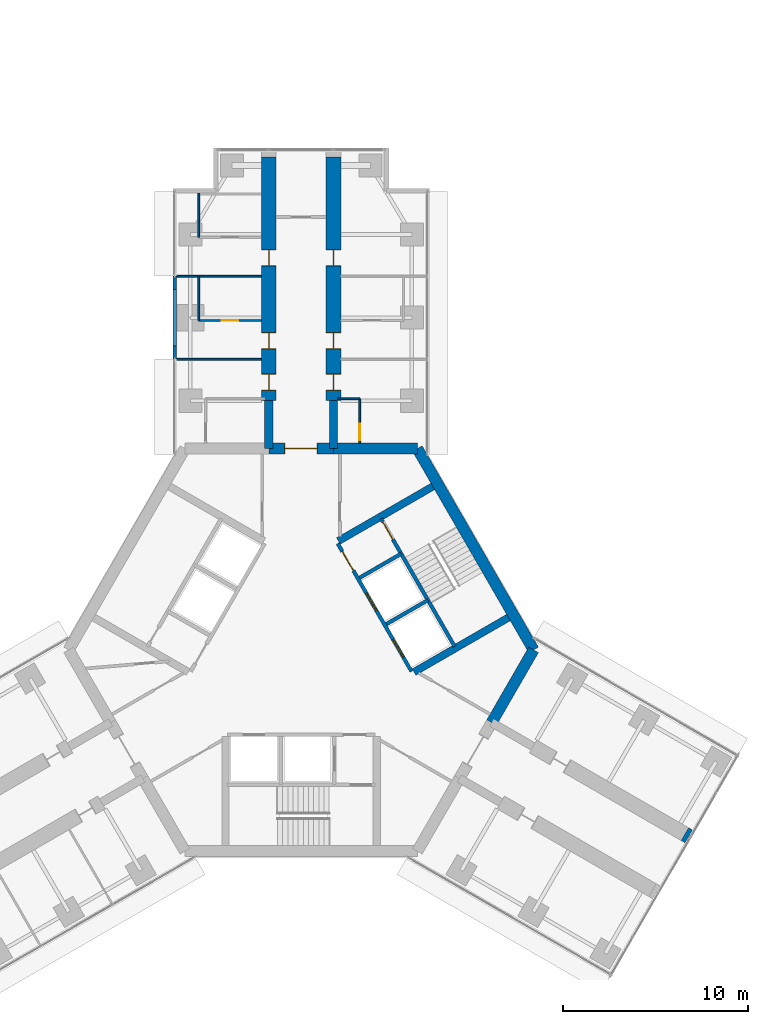
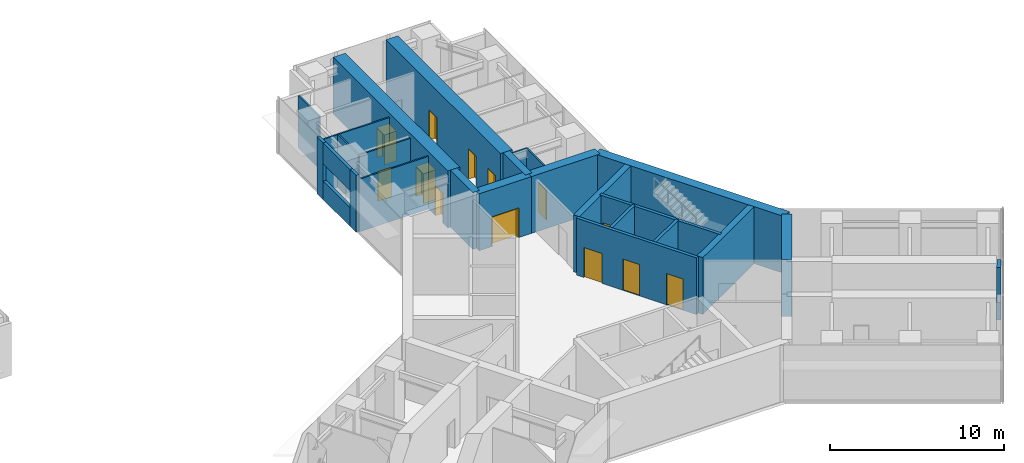
# One storey, part 20 of 23: 26 walls, 13 doors, 13 openings.
"""IFC4 building model written with IfcOpenShell, lengths in metres."""

from ifc_helpers import new_model, si_unit, direction, frame, frame_2d, origin, place, context, subcontext, project, spatial, rectangle, extrude, material, layer, layer_set, type_object, element, fill, save


model = new_model("IFC4")

# Units and contexts
model_context = context("Model", 3, precision=1e-05, world=origin(), true_north=direction((0.0, 1.0)))
body_context = subcontext(model_context, "Body", "Model", "MODEL_VIEW")
ifc_project = project(units=[si_unit("LENGTHUNIT", "METRE"), si_unit("AREAUNIT", "SQUARE_METRE"), si_unit("VOLUMEUNIT", "CUBIC_METRE"), si_unit("PLANEANGLEUNIT", "RADIAN"), si_unit("MASSUNIT", "GRAM", prefix="KILO")], contexts=[model_context])

# Site, building, storey
site_placement = place(None, origin())
site = spatial("IfcSite", under=ifc_project, at=site_placement, CompositionType="ELEMENT")
building_placement = place(site_placement, origin())
building = spatial("IfcBuilding", under=site, at=building_placement, Name="Upepo Twin Towers", CompositionType="ELEMENT")
storey_placement = place(building_placement, frame((0.0, 0.0, 161.5)))
storey = spatial("IfcBuildingStorey", under=building, at=storey_placement, Name="L39", CompositionType="ELEMENT", Elevation=161.5)

# Walls
ifc_material_1 = material(Name="Dense concrete blockwork", Category="masonry")
ifc_layer_1 = layer(ifc_material_1, 0.800048828125)
ifc_layer_set_1 = layer_set([ifc_layer_1], Name="Buttress closer 800, blockwork with fire-stopping to the curtain wall")
wall_type_1 = type_object("IfcWallType", Name="Buttress closer 800, blockwork with fire-stopping to the curtain wall", PredefinedType="PARTITIONING", material=ifc_layer_set_1)
wall_1_placement = place(storey_placement, frame((79.293701171875, -27.984375, 0.0), z_axis=(0.0, 0.0, 1.0), x_axis=(0.865827443207, -0.500342721131, 0.0)))
element("IfcWall", 1, at=wall_1_placement, inside=storey, type_object=wall_type_1, Name="T2 L39 wing C buttress closer L", PredefinedType="PARTITIONING", context=body_context, shape_type="SweptSolid", body=[
    extrude(rectangle(XDim=0.249755859375, YDim=0.800048828125, at=frame_2d((0.125, 0.0))), origin(), (0.0, 0.0, 1.0), 3.699951171875),
])
ifc_material_2 = material(Name="Concrete C60/75", Category="concrete")
ifc_layer_2 = layer(ifc_material_2, 0.449951171875)
ifc_layer_set_2 = layer_set([ifc_layer_2], Name="Concrete C60/75")
wall_type_2 = type_object("IfcWallType", Name="Buttress wall 450 RC", PredefinedType="SHEAR", material=ifc_layer_set_2)
for number, where, z_axis, x_axis, name in (
    (2, (56.75, -7.091552734375, 0.0), (0.0, 0.0, 1.0), (0.0, 1.0, 0.0), "T2 wing A buttress wall L"),
    (3, (60.25, -7.091552734375, 0.0), (0.0, 0.0, 1.0), (0.0, 1.0, 0.0), "T2 wing A buttress wall R"),
):
    element("IfcWall", number, at=place(storey_placement, frame(where, z_axis=z_axis, x_axis=x_axis)), inside=storey, type_object=wall_type_2, Name=name, PredefinedType="SHEAR", context=body_context, shape_type="SweptSolid", body=[
        extrude(rectangle(XDim=2.591552734375, YDim=0.449951171875, at=frame_2d((1.2958984375, 0.0))), origin(), (0.0, 0.0, 1.0), 4.0),
    ])

# Wall, openings, doors
ifc_material_3 = material(Name="Concrete C60/75", Category="concrete")
ifc_layer_3 = layer(ifc_material_3, 0.800048828125)
ifc_layer_set_3 = layer_set([ifc_layer_3], Name="Concrete C60/75")
wall_type_3 = type_object("IfcWallType", Name="Buttress wall 800 RC", PredefinedType="SHEAR", material=ifc_layer_set_3)
wall_2_placement = place(storey_placement, frame((56.75, -4.5, 0.0), z_axis=(0.0, 0.0, 1.0), x_axis=(0.0, 1.0, 0.0)))
wall_2 = element("IfcWall", 4, at=wall_2_placement, inside=storey, type_object=wall_type_3, Name="T2 wing A buttress wall L part 2", PredefinedType="SHEAR", context=body_context, shape_type="SweptSolid", body=[
    extrude(rectangle(XDim=13.199951171875, YDim=0.800048828125, at=frame_2d((6.60009765625, 0.0))), origin(), (0.0, 0.0, 1.0), 4.0),
])
opening_1_placement = place(wall_2_placement, frame((0.550048828125, 0.0, 0.0)))
opening_1 = element("IfcOpeningElement", 5, at=opening_1_placement, cuts=wall_2, Name="Opening D11", PredefinedType="OPENING", context=body_context, shape_type="SweptSolid", body=[
    extrude(rectangle(XDim=0.89990234375, YDim=2.10009765625, at=frame_2d((0.449951171875, 1.050048828125))), frame((0.0, 0.409912109375, 0.0), z_axis=(0.0, -1.0, 0.0), x_axis=(1.0, 0.0, 0.0)), (0.0, 0.0, 1.0), 0.820068359375),
])
opening_2_placement = place(wall_2_placement, frame((2.800048828125, 0.0, 0.0)))
opening_2 = element("IfcOpeningElement", 6, at=opening_2_placement, cuts=wall_2, Name="Opening D14", PredefinedType="OPENING", context=body_context, shape_type="SweptSolid", body=[
    extrude(rectangle(XDim=0.89990234375, YDim=2.10009765625, at=frame_2d((0.449951171875, 1.050048828125))), frame((0.0, 0.409912109375, 0.0), z_axis=(0.0, -1.0, 0.0), x_axis=(1.0, 0.0, 0.0)), (0.0, 0.0, 1.0), 0.820068359375),
])
opening_3_placement = place(wall_2_placement, frame((7.300048828125, 0.0, 0.0)))
opening_3 = element("IfcOpeningElement", 7, at=opening_3_placement, cuts=wall_2, Name="Opening D14", PredefinedType="OPENING", context=body_context, shape_type="SweptSolid", body=[
    extrude(rectangle(XDim=0.89990234375, YDim=2.10009765625, at=frame_2d((0.449951171875, 1.050048828125))), frame((0.0, 0.409912109375, 0.0), z_axis=(0.0, -1.0, 0.0), x_axis=(1.0, 0.0, 0.0)), (0.0, 0.0, 1.0), 0.820068359375),
])
ifc_material_4 = material(Name="Timber doorset", Category="wood")
door_type_1 = type_object("IfcDoorType", Name="Office door 900 FD30", OperationType="SINGLE_SWING_LEFT", PredefinedType="DOOR", material=ifc_material_4)
door_1_placement = place(opening_2_placement, origin())
door_1 = element("IfcDoor", 8, at=door_1_placement, inside=storey, type_object=door_type_1, Name="T2 L39 staff office door", OperationType="SINGLE_SWING_LEFT", OverallHeight=2.10009765625, OverallWidth=0.89990234375, PredefinedType="DOOR", context=body_context, shape_type="SweptSolid", body=[
    extrude(rectangle(XDim=0.81990234375, YDim=2.06009765625, at=frame_2d((0.449951171875, 1.030029296875))), frame((0.0, 0.02490234375, 0.0), z_axis=(0.0, -1.0, 0.0), x_axis=(1.0, 0.0, 0.0)), (0.0, 0.0, 1.0), 0.050048828125),
    extrude(rectangle(XDim=0.04, YDim=2.10009765625, at=frame_2d((0.02001953125, 1.050048828125))), frame((0.0, 0.39990234375, 0.0), z_axis=(0.0, -1.0, 0.0), x_axis=(1.0, 0.0, 0.0)), (0.0, 0.0, 1.0), 0.799560546875),
    extrude(rectangle(XDim=0.04, YDim=2.10009765625, at=frame_2d((0.8798828125, 1.050048828125))), frame((0.0, 0.39990234375, 0.0), z_axis=(0.0, -1.0, 0.0), x_axis=(1.0, 0.0, 0.0)), (0.0, 0.0, 1.0), 0.799560546875),
    extrude(rectangle(XDim=0.81990234375, YDim=0.04, at=frame_2d((0.449951171875, 2.080078125))), frame((0.0, 0.39990234375, 0.0), z_axis=(0.0, -1.0, 0.0), x_axis=(1.0, 0.0, 0.0)), (0.0, 0.0, 1.0), 0.799560546875),
])
fill(opening_2, door_1)
door_2_placement = place(opening_3_placement, origin())
door_2 = element("IfcDoor", 9, at=door_2_placement, inside=storey, type_object=door_type_1, Name="T2 L39 meeting room door", OperationType="SINGLE_SWING_RIGHT", OverallHeight=2.10009765625, OverallWidth=0.89990234375, PredefinedType="DOOR", context=body_context, shape_type="SweptSolid", body=[
    extrude(rectangle(XDim=0.81990234375, YDim=2.06009765625, at=frame_2d((0.449951171875, 1.030029296875))), frame((0.0, 0.02490234375, 0.0), z_axis=(0.0, -1.0, 0.0), x_axis=(1.0, 0.0, 0.0)), (0.0, 0.0, 1.0), 0.050048828125),
    extrude(rectangle(XDim=0.04, YDim=2.10009765625, at=frame_2d((0.02001953125, 1.050048828125))), frame((0.0, 0.39990234375, 0.0), z_axis=(0.0, -1.0, 0.0), x_axis=(1.0, 0.0, 0.0)), (0.0, 0.0, 1.0), 0.799560546875),
    extrude(rectangle(XDim=0.04, YDim=2.10009765625, at=frame_2d((0.8798828125, 1.050048828125))), frame((0.0, 0.39990234375, 0.0), z_axis=(0.0, -1.0, 0.0), x_axis=(1.0, 0.0, 0.0)), (0.0, 0.0, 1.0), 0.799560546875),
    extrude(rectangle(XDim=0.81990234375, YDim=0.04, at=frame_2d((0.449951171875, 2.080078125))), frame((0.0, 0.39990234375, 0.0), z_axis=(0.0, -1.0, 0.0), x_axis=(1.0, 0.0, 0.0)), (0.0, 0.0, 1.0), 0.799560546875),
])
fill(opening_3, door_2)
ifc_material_5 = material(Name="Timber doorset", Category="wood")
door_type_2 = type_object("IfcDoorType", Name="Toilet door 900", OperationType="SINGLE_SWING_LEFT", PredefinedType="DOOR", material=ifc_material_5)
door_3_placement = place(opening_1_placement, origin())
door_3 = element("IfcDoor", 10, at=door_3_placement, inside=storey, type_object=door_type_2, Name="T2 L39 accessible wc door", OperationType="SINGLE_SWING_LEFT", OverallHeight=2.10009765625, OverallWidth=0.89990234375, PredefinedType="DOOR", context=body_context, shape_type="SweptSolid", body=[
    extrude(rectangle(XDim=0.81990234375, YDim=2.06009765625, at=frame_2d((0.449951171875, 1.030029296875))), frame((0.0, 0.02490234375, 0.0), z_axis=(0.0, -1.0, 0.0), x_axis=(1.0, 0.0, 0.0)), (0.0, 0.0, 1.0), 0.050048828125),
    extrude(rectangle(XDim=0.04, YDim=2.10009765625, at=frame_2d((0.02001953125, 1.050048828125))), frame((0.0, 0.39990234375, 0.0), z_axis=(0.0, -1.0, 0.0), x_axis=(1.0, 0.0, 0.0)), (0.0, 0.0, 1.0), 0.799560546875),
    extrude(rectangle(XDim=0.04, YDim=2.10009765625, at=frame_2d((0.8798828125, 1.050048828125))), frame((0.0, 0.39990234375, 0.0), z_axis=(0.0, -1.0, 0.0), x_axis=(1.0, 0.0, 0.0)), (0.0, 0.0, 1.0), 0.799560546875),
    extrude(rectangle(XDim=0.81990234375, YDim=0.04, at=frame_2d((0.449951171875, 2.080078125))), frame((0.0, 0.39990234375, 0.0), z_axis=(0.0, -1.0, 0.0), x_axis=(1.0, 0.0, 0.0)), (0.0, 0.0, 1.0), 0.799560546875),
])
fill(opening_1, door_3)

wall_3_placement = place(storey_placement, frame((60.25, -4.5, 0.0), z_axis=(0.0, 0.0, 1.0), x_axis=(0.0, 1.0, 0.0)))
wall_3 = element("IfcWall", 11, at=wall_3_placement, inside=storey, type_object=wall_type_3, Name="T2 wing A buttress wall R part 2", PredefinedType="SHEAR", context=body_context, shape_type="SweptSolid", body=[
    extrude(rectangle(XDim=13.199951171875, YDim=0.800048828125, at=frame_2d((6.60009765625, 0.0))), origin(), (0.0, 0.0, 1.0), 4.0),
])
opening_4_placement = place(wall_3_placement, frame((0.550048828125, 0.0, 0.0)))
opening_4 = element("IfcOpeningElement", 12, at=opening_4_placement, cuts=wall_3, Name="Opening D11", PredefinedType="OPENING", context=body_context, shape_type="SweptSolid", body=[
    extrude(rectangle(XDim=0.89990234375, YDim=2.10009765625, at=frame_2d((0.449951171875, 1.050048828125))), frame((0.0, 0.409912109375, 0.0), z_axis=(0.0, -1.0, 0.0), x_axis=(1.0, 0.0, 0.0)), (0.0, 0.0, 1.0), 0.820068359375),
])
opening_5_placement = place(wall_3_placement, frame((2.800048828125, 0.0, 0.0)))
opening_5 = element("IfcOpeningElement", 13, at=opening_5_placement, cuts=wall_3, Name="Opening D14", PredefinedType="OPENING", context=body_context, shape_type="SweptSolid", body=[
    extrude(rectangle(XDim=0.89990234375, YDim=2.10009765625, at=frame_2d((0.449951171875, 1.050048828125))), frame((0.0, 0.409912109375, 0.0), z_axis=(0.0, -1.0, 0.0), x_axis=(1.0, 0.0, 0.0)), (0.0, 0.0, 1.0), 0.820068359375),
])
opening_6_placement = place(wall_3_placement, frame((7.300048828125, 0.0, 0.0)))
opening_6 = element("IfcOpeningElement", 14, at=opening_6_placement, cuts=wall_3, Name="Opening D14", PredefinedType="OPENING", context=body_context, shape_type="SweptSolid", body=[
    extrude(rectangle(XDim=0.89990234375, YDim=2.10009765625, at=frame_2d((0.449951171875, 1.050048828125))), frame((0.0, 0.409912109375, 0.0), z_axis=(0.0, -1.0, 0.0), x_axis=(1.0, 0.0, 0.0)), (0.0, 0.0, 1.0), 0.820068359375),
])
door_4_placement = place(opening_5_placement, origin())
door_4 = element("IfcDoor", 15, at=door_4_placement, inside=storey, type_object=door_type_1, Name="T2 L39 staff office door", OperationType="SINGLE_SWING_LEFT", OverallHeight=2.10009765625, OverallWidth=0.89990234375, PredefinedType="DOOR", context=body_context, shape_type="SweptSolid", body=[
    extrude(rectangle(XDim=0.81990234375, YDim=2.06009765625, at=frame_2d((0.449951171875, 1.030029296875))), frame((0.0, 0.02490234375, 0.0), z_axis=(0.0, -1.0, 0.0), x_axis=(1.0, 0.0, 0.0)), (0.0, 0.0, 1.0), 0.050048828125),
    extrude(rectangle(XDim=0.04, YDim=2.10009765625, at=frame_2d((0.02001953125, 1.050048828125))), frame((0.0, 0.39990234375, 0.0), z_axis=(0.0, -1.0, 0.0), x_axis=(1.0, 0.0, 0.0)), (0.0, 0.0, 1.0), 0.799560546875),
    extrude(rectangle(XDim=0.04, YDim=2.10009765625, at=frame_2d((0.8798828125, 1.050048828125))), frame((0.0, 0.39990234375, 0.0), z_axis=(0.0, -1.0, 0.0), x_axis=(1.0, 0.0, 0.0)), (0.0, 0.0, 1.0), 0.799560546875),
    extrude(rectangle(XDim=0.81990234375, YDim=0.04, at=frame_2d((0.449951171875, 2.080078125))), frame((0.0, 0.39990234375, 0.0), z_axis=(0.0, -1.0, 0.0), x_axis=(1.0, 0.0, 0.0)), (0.0, 0.0, 1.0), 0.799560546875),
])
fill(opening_5, door_4)
door_5_placement = place(opening_6_placement, origin())
door_5 = element("IfcDoor", 16, at=door_5_placement, inside=storey, type_object=door_type_1, Name="T2 L39 postgraduate office door", OperationType="SINGLE_SWING_RIGHT", OverallHeight=2.10009765625, OverallWidth=0.89990234375, PredefinedType="DOOR", context=body_context, shape_type="SweptSolid", body=[
    extrude(rectangle(XDim=0.81990234375, YDim=2.06009765625, at=frame_2d((0.449951171875, 1.030029296875))), frame((0.0, 0.02490234375, 0.0), z_axis=(0.0, -1.0, 0.0), x_axis=(1.0, 0.0, 0.0)), (0.0, 0.0, 1.0), 0.050048828125),
    extrude(rectangle(XDim=0.04, YDim=2.10009765625, at=frame_2d((0.02001953125, 1.050048828125))), frame((0.0, 0.39990234375, 0.0), z_axis=(0.0, -1.0, 0.0), x_axis=(1.0, 0.0, 0.0)), (0.0, 0.0, 1.0), 0.799560546875),
    extrude(rectangle(XDim=0.04, YDim=2.10009765625, at=frame_2d((0.8798828125, 1.050048828125))), frame((0.0, 0.39990234375, 0.0), z_axis=(0.0, -1.0, 0.0), x_axis=(1.0, 0.0, 0.0)), (0.0, 0.0, 1.0), 0.799560546875),
    extrude(rectangle(XDim=0.81990234375, YDim=0.04, at=frame_2d((0.449951171875, 2.080078125))), frame((0.0, 0.39990234375, 0.0), z_axis=(0.0, -1.0, 0.0), x_axis=(1.0, 0.0, 0.0)), (0.0, 0.0, 1.0), 0.799560546875),
])
fill(opening_6, door_5)
door_6_placement = place(opening_4_placement, origin())
door_6 = element("IfcDoor", 17, at=door_6_placement, inside=storey, type_object=door_type_2, Name="T2 L39 toilets door", OperationType="SINGLE_SWING_LEFT", OverallHeight=2.10009765625, OverallWidth=0.89990234375, PredefinedType="DOOR", context=body_context, shape_type="SweptSolid", body=[
    extrude(rectangle(XDim=0.81990234375, YDim=2.06009765625, at=frame_2d((0.449951171875, 1.030029296875))), frame((0.0, 0.02490234375, 0.0), z_axis=(0.0, -1.0, 0.0), x_axis=(1.0, 0.0, 0.0)), (0.0, 0.0, 1.0), 0.050048828125),
    extrude(rectangle(XDim=0.04, YDim=2.10009765625, at=frame_2d((0.02001953125, 1.050048828125))), frame((0.0, 0.39990234375, 0.0), z_axis=(0.0, -1.0, 0.0), x_axis=(1.0, 0.0, 0.0)), (0.0, 0.0, 1.0), 0.799560546875),
    extrude(rectangle(XDim=0.04, YDim=2.10009765625, at=frame_2d((0.8798828125, 1.050048828125))), frame((0.0, 0.39990234375, 0.0), z_axis=(0.0, -1.0, 0.0), x_axis=(1.0, 0.0, 0.0)), (0.0, 0.0, 1.0), 0.799560546875),
    extrude(rectangle(XDim=0.81990234375, YDim=0.04, at=frame_2d((0.449951171875, 2.080078125))), frame((0.0, 0.39990234375, 0.0), z_axis=(0.0, -1.0, 0.0), x_axis=(1.0, 0.0, 0.0)), (0.0, 0.0, 1.0), 0.799560546875),
])
fill(opening_4, door_6)

# Wall
ifc_material_6 = material(Name="Concrete C60/75", Category="concrete")
ifc_layer_4 = layer(ifc_material_6, 0.60009765625)
ifc_layer_set_4 = layer_set([ifc_layer_4], Name="Concrete C60/75")
wall_type_4 = type_object("IfcWallType", Name="Core wall 600 RC", PredefinedType="SHEAR", material=ifc_layer_set_4)
wall_4_placement = place(storey_placement, frame((64.7978515625, -7.091552734375, 0.0), z_axis=(0.0, 0.0, 1.0), x_axis=(-1.0, 0.0, 0.0)))
element("IfcWall", 18, at=wall_4_placement, inside=storey, type_object=wall_type_4, Name="T2 core wall 000 R", PredefinedType="SHEAR", context=body_context, shape_type="SweptSolid", body=[
    extrude(rectangle(XDim=4.5478515625, YDim=0.60009765625, at=frame_2d((2.27392578125, 0.0))), origin(), (0.0, 0.0, 1.0), 4.0),
])

# Wall, opening, door
wall_5_placement = place(storey_placement, frame((60.25, -7.091552734375, 0.0), z_axis=(0.0, 0.0, 1.0), x_axis=(-1.0, 0.0, 0.0)))
wall_5 = element("IfcWall", 19, at=wall_5_placement, inside=storey, type_object=wall_type_4, Name="T2 core wall 000", PredefinedType="SHEAR", context=body_context, shape_type="SweptSolid", body=[
    extrude(rectangle(XDim=3.5, YDim=0.60009765625, at=frame_2d((1.75, 0.0))), origin(), (0.0, 0.0, 1.0), 4.0),
])
opening_7_placement = place(wall_5_placement, frame((0.85009765625, 0.0, 0.0)))
opening_7 = element("IfcOpeningElement", 20, at=opening_7_placement, cuts=wall_5, Name="Opening D2", PredefinedType="OPENING", context=body_context, shape_type="SweptSolid", body=[
    extrude(rectangle(XDim=1.800048828125, YDim=2.10009765625, at=frame_2d((0.89990234375, 1.050048828125))), frame((0.0, 0.31005859375, 0.0), z_axis=(0.0, -1.0, 0.0), x_axis=(1.0, 0.0, 0.0)), (0.0, 0.0, 1.0), 0.6201171875),
])
ifc_material_7 = material(Name="Timber doorset", Category="wood")
door_type_3 = type_object("IfcDoorType", Name="Corridor double door 1800 FD60", OperationType="DOUBLE_DOOR_DOUBLE_SWING", PredefinedType="DOOR", material=ifc_material_7)
door_7_placement = place(opening_7_placement, origin())
door_7 = element("IfcDoor", 21, at=door_7_placement, inside=storey, type_object=door_type_3, Name="T2 L39 wing A corridor door", OperationType="DOUBLE_DOOR_DOUBLE_SWING", OverallHeight=2.10009765625, OverallWidth=1.800048828125, PredefinedType="DOOR", context=body_context, shape_type="SweptSolid", body=[
    extrude(rectangle(XDim=1.720048828125, YDim=2.06009765625, at=frame_2d((0.89990234375, 1.030029296875))), frame((0.0, 0.02490234375, 0.0), z_axis=(0.0, -1.0, 0.0), x_axis=(1.0, 0.0, 0.0)), (0.0, 0.0, 1.0), 0.050048828125),
    extrude(rectangle(XDim=0.04, YDim=2.10009765625, at=frame_2d((0.02001953125, 1.050048828125))), frame((0.0, 0.2998046875, 0.0), z_axis=(0.0, -1.0, 0.0), x_axis=(1.0, 0.0, 0.0)), (0.0, 0.0, 1.0), 0.599609375),
    extrude(rectangle(XDim=0.04, YDim=2.10009765625, at=frame_2d((1.780029296875, 1.050048828125))), frame((0.0, 0.2998046875, 0.0), z_axis=(0.0, -1.0, 0.0), x_axis=(1.0, 0.0, 0.0)), (0.0, 0.0, 1.0), 0.599609375),
    extrude(rectangle(XDim=1.720048828125, YDim=0.04, at=frame_2d((0.89990234375, 2.080078125))), frame((0.0, 0.2998046875, 0.0), z_axis=(0.0, -1.0, 0.0), x_axis=(1.0, 0.0, 0.0)), (0.0, 0.0, 1.0), 0.599609375),
])
fill(opening_7, door_7)

# Walls
wall_6_placement = place(storey_placement, frame((68.82177734375, -21.938720703125, 0.0), z_axis=(0.0, 0.0, 1.0), x_axis=(0.500024481964, 0.866011268655, 0.0)))
element("IfcWall", 22, at=wall_6_placement, inside=storey, type_object=wall_type_4, Name="T2 core wall 240 L", PredefinedType="SHEAR", context=body_context, shape_type="SweptSolid", body=[
    extrude(rectangle(XDim=4.548095703125, YDim=0.60009765625, at=frame_2d((2.27392578125, 0.0))), origin(), (0.0, 0.0, 1.0), 4.0),
])
wall_7_placement = place(storey_placement, frame((71.095947265625, -18.0, 0.0), z_axis=(0.0, 0.0, 1.0), x_axis=(-0.500005998175, 0.866021940709, 0.0)))
element("IfcWall", 23, at=wall_7_placement, inside=storey, type_object=wall_type_4, Name="T2 core wall 300", PredefinedType="SHEAR", context=body_context, shape_type="SweptSolid", body=[
    extrude(rectangle(XDim=12.595947265625, YDim=0.60009765625, at=frame_2d((6.2978515625, 0.0))), origin(), (0.0, 0.0, 1.0), 4.0),
])
ifc_material_8 = material(Name="Gypsum board on steel studs", Category="steel")
ifc_layer_5 = layer(ifc_material_8, 0.10009765625)
ifc_layer_set_5 = layer_set([ifc_layer_5], Name="Office partition 100 stud")
wall_type_5 = type_object("IfcWallType", Name="Office partition 100 stud", PredefinedType="PARTITIONING", material=ifc_layer_set_5)
for number, where, z_axis, x_axis, name in (
    (24, (56.35009765625, -2.25, 0.0), (0.0, 0.0, 1.0), (-1.0, 0.0, 0.0), "T2 partition AL at 15.75"),
    (25, (56.35009765625, 2.25, 0.0), (0.0, 0.0, 1.0), (-1.0, 0.0, 0.0), "T2 partition AL at 20.25"),
):
    element("IfcWall", number, at=place(storey_placement, frame(where, z_axis=z_axis, x_axis=x_axis)), inside=storey, type_object=wall_type_5, Name=name, PredefinedType="PARTITIONING", context=body_context, shape_type="SweptSolid", body=[
        extrude(rectangle(XDim=4.60009765625, YDim=0.10009765625, at=frame_2d((2.300048828125, 0.0))), origin(), (0.0, 0.0, 1.0), 3.699951171875),
    ])
wall_8_placement = place(storey_placement, frame((52.949951171875, -0.14990234375, 0.0), z_axis=(0.0, 0.0, 1.0), x_axis=(0.0, 1.0, 0.0)))
element("IfcWall", 26, at=wall_8_placement, inside=storey, type_object=wall_type_5, Name="T2 inner room partition AL at 17.85", PredefinedType="PARTITIONING", context=body_context, shape_type="SweptSolid", body=[
    extrude(rectangle(XDim=2.39990234375, YDim=0.10009765625, at=frame_2d((1.199951171875, 0.0))), origin(), (0.0, 0.0, 1.0), 3.699951171875),
])

# Wall, opening, door
wall_9_placement = place(storey_placement, frame((56.35009765625, -0.14990234375, 0.0), z_axis=(0.0, 0.0, 1.0), x_axis=(-1.0, 0.0, 0.0)))
wall_9 = element("IfcWall", 27, at=wall_9_placement, inside=storey, type_object=wall_type_5, Name="T2 inner room partition AL end at 17.85", PredefinedType="PARTITIONING", context=body_context, shape_type="SweptSolid", body=[
    extrude(rectangle(XDim=3.400146484375, YDim=0.10009765625, at=frame_2d((1.7001953125, 0.0))), origin(), (0.0, 0.0, 1.0), 3.699951171875),
])
opening_8_placement = place(wall_9_placement, frame((1.25, 0.0, 0.0)))
opening_8 = element("IfcOpeningElement", 28, at=opening_8_placement, cuts=wall_9, Name="Opening D14", PredefinedType="OPENING", context=body_context, shape_type="SweptSolid", body=[
    extrude(rectangle(XDim=0.89990234375, YDim=2.10009765625, at=frame_2d((0.449951171875, 1.050048828125))), frame((0.0, 0.06005859375, 0.0), z_axis=(0.0, -1.0, 0.0), x_axis=(1.0, 0.0, 0.0)), (0.0, 0.0, 1.0), 0.1201171875),
])
door_8_placement = place(opening_8_placement, origin())
door_8 = element("IfcDoor", 29, at=door_8_placement, inside=storey, type_object=door_type_1, Name="T2 L39 inner room door", OperationType="SINGLE_SWING_LEFT", OverallHeight=2.10009765625, OverallWidth=0.89990234375, PredefinedType="DOOR", context=body_context, shape_type="SweptSolid", body=[
    extrude(rectangle(XDim=0.89990234375, YDim=2.10009765625, at=frame_2d((0.449951171875, 1.050048828125))), frame((0.0, 0.02490234375, 0.0), z_axis=(0.0, -1.0, 0.0), x_axis=(1.0, 0.0, 0.0)), (0.0, 0.0, 1.0), 0.050048828125),
])
fill(opening_8, door_8)

# Wall
wall_10_placement = place(storey_placement, frame((52.949951171875, 4.35009765625, 0.0), z_axis=(0.0, 0.0, 1.0), x_axis=(0.0, 1.0, 0.0)))
element("IfcWall", 30, at=wall_10_placement, inside=storey, type_object=wall_type_5, Name="T2 inner room partition AL at 22.35", PredefinedType="PARTITIONING", context=body_context, shape_type="SweptSolid", body=[
    extrude(rectangle(XDim=2.39990234375, YDim=0.10009765625, at=frame_2d((1.199951171875, 0.0))), origin(), (0.0, 0.0, 1.0), 3.699951171875),
])

# Wall, opening, door
wall_11_placement = place(storey_placement, frame((61.675048828125, -6.7919921875, 0.0), z_axis=(0.0, 0.0, 1.0), x_axis=(0.0, 1.0, 0.0)))
wall_11 = element("IfcWall", 31, at=wall_11_placement, inside=storey, type_object=wall_type_5, Name="T2 WC bay partition AR at 11.21", PredefinedType="PARTITIONING", context=body_context, shape_type="SweptSolid", body=[
    extrude(rectangle(XDim=2.39990234375, YDim=0.10009765625, at=frame_2d((1.199951171875, 0.0))), origin(), (0.0, 0.0, 1.0), 3.699951171875),
])
opening_9_placement = place(wall_11_placement, frame((0.14990234375, 0.0, 0.0)))
opening_9 = element("IfcOpeningElement", 32, at=opening_9_placement, cuts=wall_11, Name="Opening D14", PredefinedType="OPENING", context=body_context, shape_type="SweptSolid", body=[
    extrude(rectangle(XDim=0.89990234375, YDim=2.10009765625, at=frame_2d((0.449951171875, 1.050048828125))), frame((0.0, 0.06005859375, 0.0), z_axis=(0.0, -1.0, 0.0), x_axis=(1.0, 0.0, 0.0)), (0.0, 0.0, 1.0), 0.1201171875),
])
door_9_placement = place(opening_9_placement, origin())
door_9 = element("IfcDoor", 33, at=door_9_placement, inside=storey, type_object=door_type_1, Name="T2 L39 WC bay inner room door", OperationType="SINGLE_SWING_LEFT", OverallHeight=2.10009765625, OverallWidth=0.89990234375, PredefinedType="DOOR", context=body_context, shape_type="SweptSolid", body=[
    extrude(rectangle(XDim=0.89990234375, YDim=2.10009765625, at=frame_2d((0.449951171875, 1.050048828125))), frame((0.0, 0.02490234375, 0.0), z_axis=(0.0, -1.0, 0.0), x_axis=(1.0, 0.0, 0.0)), (0.0, 0.0, 1.0), 0.050048828125),
])
fill(opening_9, door_9)

# Walls
wall_12_placement = place(storey_placement, frame((60.47509765625, -4.39208984375, 0.0), z_axis=(0.0, 0.0, 1.0), x_axis=(1.0, 0.0, 0.0)))
element("IfcWall", 34, at=wall_12_placement, inside=storey, type_object=wall_type_5, Name="T2 WC bay partition AR end at 13.61", PredefinedType="PARTITIONING", context=body_context, shape_type="SweptSolid", body=[
    extrude(rectangle(XDim=1.199951171875, YDim=0.10009765625, at=frame_2d((0.60009765625, 0.0))), origin(), (0.0, 0.0, 1.0), 3.699951171875),
])
ifc_material_9 = material(Name="Concrete C40/50", Category="concrete")
ifc_layer_6 = layer(ifc_material_9, 0.25)
ifc_layer_set_6 = layer_set([ifc_layer_6], Name="Concrete C40/50")
wall_type_6 = type_object("IfcWallType", Name="Refuge fire wall 250 RC", PredefinedType="STANDARD", material=ifc_layer_set_6)
for number, where, z_axis, x_axis, name in (
    (35, (51.64990234375, -2.25, 0.0), (0.0, 0.0, 1.0), (0.0, 1.0, 0.0), "T2 L39 skybridge seat wall 1"),
    (36, (51.64990234375, 1.53857421875, 0.0), (0.0, 0.0, 1.0), (0.0, 1.0, 0.0), "T2 L39 skybridge seat wall 2"),
):
    element("IfcWall", number, at=place(storey_placement, frame(where, z_axis=z_axis, x_axis=x_axis)), inside=storey, type_object=wall_type_6, Name=name, PredefinedType="STANDARD", context=body_context, shape_type="SweptSolid", body=[
        extrude(rectangle(XDim=0.71142578125, YDim=0.199951171875, at=frame_2d((0.355712890625, 0.0))), origin(), (0.0, 0.0, 1.0), 4.0),
    ])
wall_13_placement = place(storey_placement, frame((51.64990234375, -1.53857421875, 0.0), z_axis=(0.0, 0.0, 1.0), x_axis=(0.0, 1.0, 0.0)))
element("IfcWall", 37, at=wall_13_placement, inside=storey, type_object=wall_type_6, Name="T2 L39 skybridge seat wall 3", PredefinedType="STANDARD", context=body_context, shape_type="SweptSolid", body=[
    extrude(rectangle(XDim=3.0771484375, YDim=0.199951171875, at=frame_2d((1.53857421875, 0.0))), origin(), (0.0, 0.0, 1.0), 1.305908203125),
])
wall_14_placement = place(storey_placement, frame((51.64990234375, -1.53857421875, 2.515869140625), z_axis=(0.0, 0.0, 1.0), x_axis=(0.0, 1.0, 0.0)))
element("IfcWall", 38, at=wall_14_placement, inside=storey, type_object=wall_type_6, Name="T2 L39 skybridge seat wall 4", PredefinedType="STANDARD", context=body_context, shape_type="SweptSolid", body=[
    extrude(rectangle(XDim=3.0771484375, YDim=0.199951171875, at=frame_2d((1.53857421875, 0.0))), origin(), (0.0, 0.0, 1.0), 1.484130859375),
])

# Wall, openings, doors
ifc_material_10 = material(Name="Concrete C40/50", Category="concrete")
ifc_layer_7 = layer(ifc_material_10, 0.199951171875)
ifc_layer_set_7 = layer_set([ifc_layer_7], Name="Concrete C40/50")
wall_type_7 = type_object("IfcWallType", Name="Shaft wall 200 RC", PredefinedType="SHEAR", material=ifc_layer_set_7)
wall_15_placement = place(storey_placement, frame((64.483642578125, -19.1640625, 0.0), z_axis=(0.0, 0.0, 1.0), x_axis=(-0.49999894854, 0.866026010844, 0.0)))
wall_15 = element("IfcWall", 39, at=wall_15_placement, inside=storey, type_object=wall_type_7, Name="T2 core W300 front wall", PredefinedType="SHEAR", context=body_context, shape_type="SweptSolid", body=[
    extrude(rectangle(XDim=8.0, YDim=0.199951171875, at=frame_2d((4.0, 0.0))), origin(), (0.0, 0.0, 1.0), 4.0),
])
opening_10_placement = place(wall_15_placement, frame((6.300048828125, 0.0, 0.0)))
opening_10 = element("IfcOpeningElement", 40, at=opening_10_placement, cuts=wall_15, Name="Opening D4", PredefinedType="OPENING", context=body_context, shape_type="SweptSolid", body=[
    extrude(rectangle(XDim=1.199951171875, YDim=2.10009765625, at=frame_2d((0.60009765625, 1.050048828125))), frame((0.0, 0.10986328125, 0.0), z_axis=(0.0, -1.0, 0.0), x_axis=(1.0, 0.0, 0.0)), (0.0, 0.0, 1.0), 0.219970703125),
])
opening_11_placement = place(wall_15_placement, frame((0.89990234375, 0.0, 0.0)))
opening_11 = element("IfcOpeningElement", 41, at=opening_11_placement, cuts=wall_15, Name="Opening LD1", PredefinedType="OPENING", context=body_context, shape_type="SweptSolid", body=[
    extrude(rectangle(XDim=1.10009765625, YDim=2.199951171875, at=frame_2d((0.550048828125, 1.10009765625))), frame((0.0, 0.10986328125, 0.0), z_axis=(0.0, -1.0, 0.0), x_axis=(1.0, 0.0, 0.0)), (0.0, 0.0, 1.0), 0.219970703125),
])
opening_12_placement = place(wall_15_placement, frame((3.800048828125, 0.0, 0.0)))
opening_12 = element("IfcOpeningElement", 42, at=opening_12_placement, cuts=wall_15, Name="Opening LD1", PredefinedType="OPENING", context=body_context, shape_type="SweptSolid", body=[
    extrude(rectangle(XDim=1.10009765625, YDim=2.199951171875, at=frame_2d((0.550048828125, 1.10009765625))), frame((0.0, 0.10986328125, 0.0), z_axis=(0.0, -1.0, 0.0), x_axis=(1.0, 0.0, 0.0)), (0.0, 0.0, 1.0), 0.219970703125),
])
ifc_material_11 = material(Name="Steel doorset", Category="steel")
door_type_4 = type_object("IfcDoorType", Name="Lift landing door 1100", OperationType="DOUBLE_DOOR_SLIDING", PredefinedType="DOOR", material=ifc_material_11)
door_10_placement = place(opening_11_placement, origin())
door_10 = element("IfcDoor", 43, at=door_10_placement, inside=storey, type_object=door_type_4, Name="T2 L39 lift ML1 landing door", OperationType="DOUBLE_DOOR_SLIDING", OverallHeight=2.199951171875, OverallWidth=1.10009765625, PredefinedType="DOOR", context=body_context, shape_type="SweptSolid", body=[
    extrude(rectangle(XDim=1.10009765625, YDim=2.199951171875, at=frame_2d((0.550048828125, 1.10009765625))), frame((0.0, 0.02490234375, 0.0), z_axis=(0.0, -1.0, 0.0), x_axis=(1.0, 0.0, 0.0)), (0.0, 0.0, 1.0), 0.050048828125),
])
fill(opening_11, door_10)
door_11_placement = place(opening_12_placement, origin())
door_11 = element("IfcDoor", 44, at=door_11_placement, inside=storey, type_object=door_type_4, Name="T2 L39 lift ML2 landing door", OperationType="DOUBLE_DOOR_SLIDING", OverallHeight=2.199951171875, OverallWidth=1.10009765625, PredefinedType="DOOR", context=body_context, shape_type="SweptSolid", body=[
    extrude(rectangle(XDim=1.10009765625, YDim=2.199951171875, at=frame_2d((0.550048828125, 1.10009765625))), frame((0.0, 0.02490234375, 0.0), z_axis=(0.0, -1.0, 0.0), x_axis=(1.0, 0.0, 0.0)), (0.0, 0.0, 1.0), 0.050048828125),
])
fill(opening_12, door_11)
ifc_material_12 = material(Name="Timber doorset", Category="wood")
door_type_5 = type_object("IfcDoorType", Name="Lobby door 1200 FD60", OperationType="SINGLE_SWING_LEFT", PredefinedType="DOOR", material=ifc_material_12)
door_12_placement = place(opening_10_placement, origin())
door_12 = element("IfcDoor", 45, at=door_12_placement, inside=storey, type_object=door_type_5, Name="T2 L39 W300 lobby door", OperationType="SINGLE_SWING_RIGHT", OverallHeight=2.10009765625, OverallWidth=1.199951171875, PredefinedType="DOOR", context=body_context, shape_type="SweptSolid", body=[
    extrude(rectangle(XDim=1.199951171875, YDim=2.10009765625, at=frame_2d((0.60009765625, 1.050048828125))), frame((0.0, 0.02490234375, 0.0), z_axis=(0.0, -1.0, 0.0), x_axis=(1.0, 0.0, 0.0)), (0.0, 0.0, 1.0), 0.050048828125),
])
fill(opening_10, door_12)

# Walls
wall_16_placement = place(storey_placement, frame((63.120361328125, -16.6025390625, 0.0), z_axis=(0.0, 0.0, 1.0), x_axis=(0.866062058628, 0.499936506574, 0.0)))
element("IfcWall", 46, at=wall_16_placement, inside=storey, type_object=wall_type_7, Name="T2 core W300 shaft divider", PredefinedType="SHEAR", context=body_context, shape_type="SweptSolid", body=[
    extrude(rectangle(XDim=2.599853515625, YDim=0.199951171875, at=frame_2d((1.2998046875, 0.0))), origin(), (0.0, 0.0, 1.0), 4.0),
])
wall_17_placement = place(storey_placement, frame((61.67041015625, -14.091064453125, 0.0), z_axis=(0.0, 0.0, 1.0), x_axis=(0.86603858612, 0.49997716683, 0.0)))
element("IfcWall", 47, at=wall_17_placement, inside=storey, type_object=wall_type_7, Name="T2 core W300 lobby wall", PredefinedType="SHEAR", context=body_context, shape_type="SweptSolid", body=[
    extrude(rectangle(XDim=2.599609375, YDim=0.199951171875, at=frame_2d((1.2998046875, 0.0))), origin(), (0.0, 0.0, 1.0), 4.0),
])

# Wall, opening, door
wall_18_placement = place(storey_placement, frame((66.822021484375, -17.814208984375, 0.0), z_axis=(0.0, 0.0, 1.0), x_axis=(-0.49999894854, 0.866026010844, 0.0)))
wall_18 = element("IfcWall", 48, at=wall_18_placement, inside=storey, type_object=wall_type_7, Name="T2 core W300 stair wall", PredefinedType="SHEAR", context=body_context, shape_type="SweptSolid", body=[
    extrude(rectangle(XDim=8.0, YDim=0.199951171875, at=frame_2d((4.0, 0.0))), origin(), (0.0, 0.0, 1.0), 4.0),
])
opening_13_placement = place(wall_18_placement, frame((6.699951171875, 0.0, 0.0)))
opening_13 = element("IfcOpeningElement", 49, at=opening_13_placement, cuts=wall_18, Name="Opening D3", PredefinedType="OPENING", context=body_context, shape_type="SweptSolid", body=[
    extrude(rectangle(XDim=1.10009765625, YDim=2.10009765625, at=frame_2d((0.550048828125, 1.050048828125))), frame((0.0, 0.10986328125, 0.0), z_axis=(0.0, -1.0, 0.0), x_axis=(1.0, 0.0, 0.0)), (0.0, 0.0, 1.0), 0.219970703125),
])
ifc_material_13 = material(Name="Timber doorset", Category="wood")
door_type_6 = type_object("IfcDoorType", Name="Stair door 1100 FD60", OperationType="SINGLE_SWING_LEFT", PredefinedType="DOOR", material=ifc_material_13)
door_13_placement = place(opening_13_placement, origin())
door_13 = element("IfcDoor", 50, at=door_13_placement, inside=storey, type_object=door_type_6, Name="T2 L39 stair door", OperationType="SINGLE_SWING_RIGHT", OverallHeight=2.10009765625, OverallWidth=1.10009765625, PredefinedType="DOOR", context=body_context, shape_type="SweptSolid", body=[
    extrude(rectangle(XDim=1.10009765625, YDim=2.10009765625, at=frame_2d((0.550048828125, 1.050048828125))), frame((0.0, 0.02490234375, 0.0), z_axis=(0.0, -1.0, 0.0), x_axis=(1.0, 0.0, 0.0)), (0.0, 0.0, 1.0), 0.050048828125),
])
fill(opening_13, door_13)

# Walls
ifc_material_14 = material(Name="Concrete C40/50", Category="concrete")
ifc_layer_8 = layer(ifc_material_14, 0.39990234375)
ifc_layer_set_8 = layer_set([ifc_layer_8], Name="Concrete C40/50")
wall_type_8 = type_object("IfcWallType", Name="Shaft wall 400 RC", PredefinedType="SHEAR", material=ifc_layer_set_8)
wall_19_placement = place(storey_placement, frame((60.520263671875, -12.099365234375, 0.0), z_axis=(0.0, 0.0, 1.0), x_axis=(0.866009424208, 0.500027676417, 0.0)))
element("IfcWall", 51, at=wall_19_placement, inside=storey, type_object=wall_type_8, Name="T2 core W300 side wall N", PredefinedType="SHEAR", context=body_context, shape_type="SweptSolid", body=[
    extrude(rectangle(XDim=5.908447265625, YDim=0.39990234375, at=frame_2d((2.9541015625, 0.0))), origin(), (0.0, 0.0, 1.0), 4.0),
])
wall_20_placement = place(storey_placement, frame((64.620361328125, -19.20068359375, 0.0), z_axis=(0.0, 0.0, 1.0), x_axis=(0.866027317282, 0.49999668571, 0.0)))
element("IfcWall", 52, at=wall_20_placement, inside=storey, type_object=wall_type_8, Name="T2 core W300 side wall S", PredefinedType="SHEAR", context=body_context, shape_type="SweptSolid", body=[
    extrude(rectangle(XDim=5.908203125, YDim=0.39990234375, at=frame_2d((2.9541015625, 0.0))), origin(), (0.0, 0.0, 1.0), 4.0),
])

save(model, "model.ifc")
